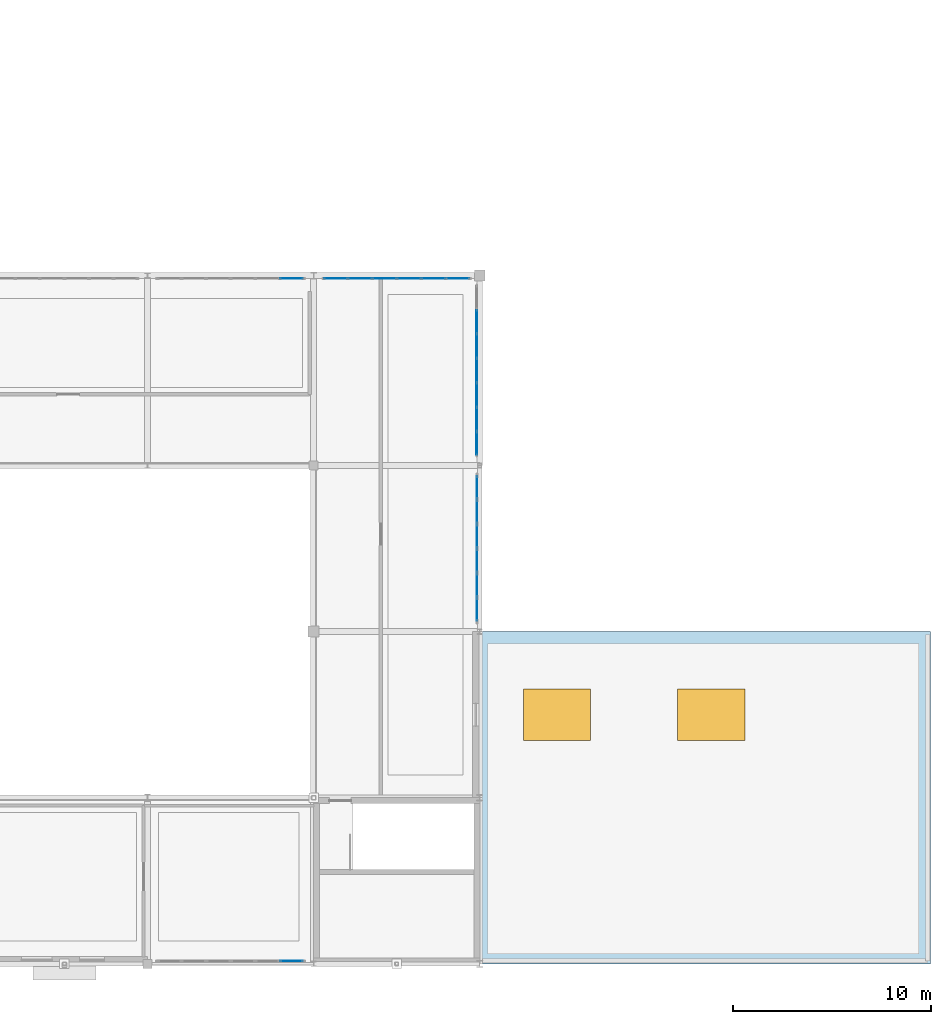
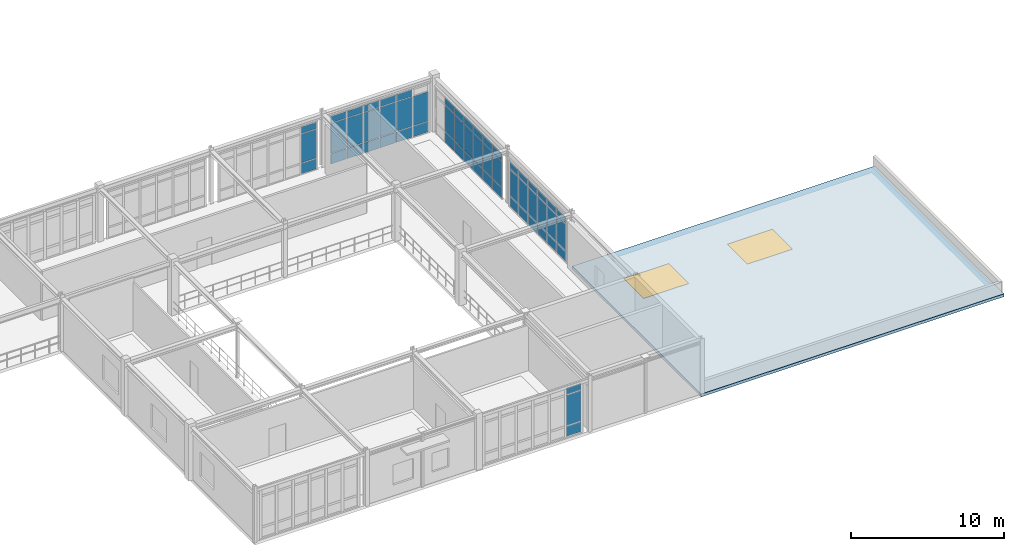
# One storey, part 76 of 106: 59 plates, 2 windows, 1 slab, 2 openings, 5 elements without a shape of their own.
"""IFC4 building model written with IfcOpenShell, lengths in metres."""

import ifcopenshell
import ifcopenshell.guid

model = None  # the IFC model being written
_history = None  # IfcOwnerHistory: only IFC2X3 demands one
_inside = {}  # id of a spatial element -> (the spatial element, [elements in it])
_under = {}  # id of a project, library or spatial element -> (it, [spatial elements below it])
_declared = {}  # id of a project -> (the project, [libraries it declares])
_typed = {}  # id of a type object -> (the type object, [elements of that type])
_made_of = {}  # id of a material, layer set ... -> (it, [elements and type objects made of it])


def new_model(schema):
    """Start an empty IFC model of exactly this schema.

    Asked for "IFC4X3", IfcOpenShell would pick the latest addendum, in which some entities
    have other attributes; the version numbers below select the first issue.
    IFC2X3 requires an IfcOwnerHistory on every rooted entity: one is made here for all.
    """
    global model, _history
    if schema == "IFC4X3":
        model = ifcopenshell.file(schema_version=(4, 3, 0, 0))
    else:
        model = ifcopenshell.file(schema=schema)
    _inside.clear()
    _under.clear()
    _declared.clear()
    _typed.clear()
    _made_of.clear()
    _history = None
    if model.schema == "IFC2X3":
        org = make("IfcOrganization", Name="unknown")
        user = make(
            "IfcPersonAndOrganization",
            ThePerson=make("IfcPerson", FamilyName="unknown"),
            TheOrganization=org,
        )
        app = make(
            "IfcApplication",
            ApplicationDeveloper=org,
            Version="unknown",
            ApplicationFullName="unknown",
            ApplicationIdentifier="unknown",
        )
        _history = make(
            "IfcOwnerHistory",
            OwningUser=user,
            OwningApplication=app,
            ChangeAction="ADDED",
            CreationDate=0,
        )
    return model


def make(cls, **values):
    """One entity of the class cls with the attributes given. An attribute that is None is left unset."""
    return model.create_entity(
        cls, **{name: value for name, value in values.items() if value is not None}
    )


def rooted(cls, **values):
    """An entity with a GlobalId (a new one), such as an element, a storey or a relation."""
    return make(cls, GlobalId=ifcopenshell.guid.new(), OwnerHistory=_history, **values)


def si_unit(unit_type, name, prefix=None):
    """IfcSIUnit, for example si_unit("LENGTHUNIT", "METRE", prefix="MILLI")."""
    return make("IfcSIUnit", UnitType=unit_type, Prefix=prefix, Name=name)


def derived_unit(unit_type, elements):
    """IfcDerivedUnit: a product of units, each with its exponent."""
    return make(
        "IfcDerivedUnit",
        Elements=[
            make("IfcDerivedUnitElement", Unit=unit, Exponent=power)
            for unit, power in elements
        ],
        UnitType=unit_type,
    )


def assignment(units):
    """IfcUnitAssignment: the units of a project."""
    return None if units is None else make("IfcUnitAssignment", Units=units)


def point(xyz):
    """IfcCartesianPoint."""
    return None if xyz is None else make("IfcCartesianPoint", Coordinates=xyz)


def direction(xyz):
    """IfcDirection."""
    return None if xyz is None else make("IfcDirection", DirectionRatios=xyz)


def frame(location, z_axis=None, x_axis=None):
    """IfcAxis2Placement3D, a coordinate frame: its origin and axes. An axis left out is left unset."""
    return make(
        "IfcAxis2Placement3D",
        Location=point(location),
        Axis=direction(z_axis),
        RefDirection=direction(x_axis),
    )


def frame_2d(location, x_axis=None):
    """IfcAxis2Placement2D, a coordinate frame in the plane: its origin and x axis."""
    return make(
        "IfcAxis2Placement2D", Location=point(location), RefDirection=direction(x_axis)
    )


def origin():
    """The frame at (0, 0, 0) with its axes left unset."""
    return frame((0.0, 0.0, 0.0))


def origin_2d():
    """The frame at (0, 0) in the plane with its x axis left unset."""
    return frame_2d((0.0, 0.0))


def place(relative_to, where):
    """IfcLocalPlacement: puts the frame where relative to a parent placement (None: the world)."""
    return make(
        "IfcLocalPlacement", PlacementRelTo=relative_to, RelativePlacement=where
    )


def context(
    kind, dimensions, precision=None, world=None, true_north=None, identifier=None
):
    """IfcGeometricRepresentationContext, for example the 3D "Model" context."""
    return make(
        "IfcGeometricRepresentationContext",
        ContextIdentifier=identifier,
        ContextType=kind,
        CoordinateSpaceDimension=dimensions,
        Precision=precision,
        WorldCoordinateSystem=world,
        TrueNorth=true_north,
    )


def subcontext(parent, identifier, kind, view, scale=None):
    """IfcGeometricRepresentationSubContext, for example "Body" below "Model"."""
    return make(
        "IfcGeometricRepresentationSubContext",
        ContextIdentifier=identifier,
        ContextType=kind,
        ParentContext=parent,
        TargetScale=scale,
        TargetView=view,
    )


def project(units=None, contexts=None):
    """IfcProject with its units and contexts."""
    return rooted(
        "IfcProject",
        Name="project",
        RepresentationContexts=contexts,
        UnitsInContext=assignment(units),
    )


def spatial(cls, under=None, at=None, **own):
    """A site, building, storey or space (cls), placed at a placement, below another one or the project."""
    s = rooted(cls, ObjectPlacement=at, **own)
    if under is not None:
        _under.setdefault(under.id(), (under, []))[1].append(s)
    return s


def polyline(points):
    """IfcPolyline through the points."""
    return make("IfcPolyline", Points=[point(p) for p in points])


def profile(cls, at=None, kind="AREA", **sizes):
    """A parametric profile (cls). Its sizes go by their IFC names, for example OverallWidth=200.0."""
    return make(cls, ProfileType=kind, Position=at, **sizes)


def rectangle(**sizes):
    """IfcRectangleProfileDef."""
    return profile("IfcRectangleProfileDef", **sizes)


def outline(outer, holes=None, kind="AREA"):
    """IfcArbitraryClosedProfileDef: a profile drawn as a closed curve; with holes, ...WithVoids."""
    if holes is None:
        return make("IfcArbitraryClosedProfileDef", ProfileType=kind, OuterCurve=outer)
    return make(
        "IfcArbitraryProfileDefWithVoids",
        ProfileType=kind,
        OuterCurve=outer,
        InnerCurves=holes,
    )


def extrude(swept, where, along, depth):
    """IfcExtrudedAreaSolid: the profile swept, set in the frame where, extruded along a direction by depth."""
    return make(
        "IfcExtrudedAreaSolid",
        SweptArea=swept,
        Position=where,
        ExtrudedDirection=direction(along),
        Depth=depth,
    )


def shape(context_of_items, identifier, shape_type, items):
    """IfcShapeRepresentation: the items that make up one representation, for example the "Body"."""
    return make(
        "IfcShapeRepresentation",
        ContextOfItems=context_of_items,
        RepresentationIdentifier=identifier,
        RepresentationType=shape_type,
        Items=items,
    )


def material(Name=None, Category=None):
    """IfcMaterial."""
    return make("IfcMaterial", Name=Name, Category=Category)


def layer(
    of_material, thickness, ventilated=None, Name=None, Category=None, Priority=None
):
    """IfcMaterialLayer: one layer of a wall or slab, of a material (None: an air gap)."""
    return make(
        "IfcMaterialLayer",
        Material=of_material,
        LayerThickness=thickness,
        IsVentilated=ventilated,
        Name=Name,
        Category=Category,
        Priority=Priority,
    )


def layer_set(layers, Name=None):
    """IfcMaterialLayerSet."""
    return make("IfcMaterialLayerSet", MaterialLayers=layers, LayerSetName=Name)


def made_of(thing, what):
    """Note that an element or type object is made of a material, layer set ...; save() writes the relation."""
    if what is not None:
        _made_of.setdefault(what.id(), (what, []))[1].append(thing)
    return thing


def type_object(cls, material=None, **own):
    """A type object (cls), such as IfcWallType, which elements share."""
    return made_of(rooted(cls, **own), material)


def element(
    cls,
    number,
    at=None,
    inside=None,
    cuts=None,
    type_object=None,
    material=None,
    context=None,
    identifier="Body",
    shape_type=None,
    held_by="IfcProductDefinitionShape",
    body=None,
    shapes=None,
    **own,
):
    """One element of the class cls, such as IfcWall. Its Tag is "e" and its number.

    at: its placement. inside: the storey or other place that contains it. cuts: it is an
    opening in that element (IfcRelVoidsElement). A single representation is given by context,
    identifier, shape_type and body (its items); several are given by shapes. held_by: the class
    of the entity that holds the representations. save() writes the other relations.
    """
    e = rooted(cls, Tag="e%d" % number, ObjectPlacement=at, **own)
    if body is not None:
        shapes = [shape(context, identifier, shape_type, body)]
    if shapes is not None:
        e.Representation = make(held_by, Representations=shapes)
    if inside is not None:
        _inside.setdefault(inside.id(), (inside, []))[1].append(e)
    if cuts is not None:
        rooted(
            "IfcRelVoidsElement", RelatingBuildingElement=cuts, RelatedOpeningElement=e
        )
    if type_object is not None:
        _typed.setdefault(type_object.id(), (type_object, []))[1].append(e)
    return made_of(e, material)


def fill(opening, filler):
    """IfcRelFillsElement: the door or window that sits in an opening."""
    return rooted(
        "IfcRelFillsElement",
        RelatingOpeningElement=opening,
        RelatedBuildingElement=filler,
    )


def aggregate(whole, parts):
    """IfcRelAggregates: a whole, such as a stair, and the parts it consists of."""
    return rooted("IfcRelAggregates", RelatingObject=whole, RelatedObjects=parts)


def save(model, path):
    """Write the relations noted so far, then the file.

    IfcRelAggregates (storeys below a building ...), IfcRelContainedInSpatialStructure (elements
    in a storey), IfcRelDefinesByType, IfcRelAssociatesMaterial and IfcRelDeclares: one each for
    every whole, place, type object, material and project.
    """
    for whole, parts in _under.values():
        aggregate(whole, parts)
    for where, things in _inside.values():
        rooted(
            "IfcRelContainedInSpatialStructure",
            RelatedElements=things,
            RelatingStructure=where,
        )
    for kind, things in _typed.values():
        rooted("IfcRelDefinesByType", RelatedObjects=things, RelatingType=kind)
    for what, things in _made_of.values():
        rooted("IfcRelAssociatesMaterial", RelatedObjects=things, RelatingMaterial=what)
    for by, libraries in _declared.values():
        rooted("IfcRelDeclares", RelatingContext=by, RelatedDefinitions=libraries)
    model.write(path)


model = new_model("IFC4")

# Units and contexts
model_context = context("Model", 3, precision=1e-05, world=origin(), true_north=direction((0.0, 1.0)))
body_context = subcontext(model_context, "Body", "Model", "MODEL_VIEW")
ifc_project = project(units=[si_unit("LENGTHUNIT", "METRE"), si_unit("AREAUNIT", "SQUARE_METRE"), si_unit("VOLUMEUNIT", "CUBIC_METRE"), si_unit("PLANEANGLEUNIT", "RADIAN"), si_unit("MASSUNIT", "GRAM", prefix="KILO"), derived_unit("THERMALTRANSMITTANCEUNIT", [(si_unit("POWERUNIT", "WATT"), 1), (si_unit("AREAUNIT", "SQUARE_METRE"), -1), (si_unit("THERMODYNAMICTEMPERATUREUNIT", "KELVIN"), -1)])], contexts=[model_context])

# Site, building, storey
site_placement = place(None, origin())
site = spatial("IfcSite", under=ifc_project, at=site_placement, CompositionType="ELEMENT")
building_placement = place(site_placement, origin())
building = spatial("IfcBuilding", under=site, at=building_placement, Name="Yasenodar Specialist Clinic", CompositionType="ELEMENT")
storey_placement = place(building_placement, frame((0.0, 0.0, 4.5)))
storey = spatial("IfcBuildingStorey", under=building, at=storey_placement, Name="L01", CompositionType="ELEMENT", Elevation=4.5)

# Curtain wall, plates
ifc_material_1 = material(Name="Bronze Anodized Aluminium and Triple Low-E Glass", Category="aluminium")
ifc_layer_1 = layer(ifc_material_1, 0.178955078125)
ifc_layer_set_1 = layer_set([ifc_layer_1], Name="Bronze Anodized Aluminium and Triple Low-E Glass")
curtain_wall_type = type_object("IfcCurtainWallType", Name="CW-SYS-02", PredefinedType="USERDEFINED", material=ifc_layer_set_1)
curtain_wall_1_placement = place(storey_placement, origin())
curtain_wall_1 = element("IfcCurtainWall", 1, at=curtain_wall_1_placement, inside=storey, type_object=curtain_wall_type, Name="L01 Unitised Curtain Wall 092", ObjectType="UNITISED CURTAIN WALL", PredefinedType="USERDEFINED")
ifc_material_2 = material(Name="Triple Low-E Argon Glazing", Category="glass")
ifc_layer_2 = layer(ifc_material_2, 0.028076171875)
ifc_layer_set_2 = layer_set([ifc_layer_2], Name="Triple Low-E Argon Glazing")
plate_type_1 = type_object("IfcPlateType", Name="CW-PAN-1", PredefinedType="CURTAIN_PANEL", material=ifc_layer_set_2)
plate_1_placement = place(storey_placement, frame((129.08251953125, 0.14990234375, 0.070068359375), z_axis=(0.0, 0.0, 1.0), x_axis=(-1.0, 0.0, 0.0)))
plate_1 = element("IfcPlate", 2, at=plate_1_placement, type_object=plate_type_1, Name="CW-02 panel 1.1", PredefinedType="CURTAIN_PANEL", context=body_context, shape_type="SweptSolid", body=[
    extrude(rectangle(XDim=1.135009765625, YDim=0.028076171875, at=origin_2d()), origin(), (0.0, 0.0, 1.0), 0.794921875),
])
plate_2_placement = place(storey_placement, frame((129.08251953125, 0.14990234375, 0.93505859375), z_axis=(0.0, 0.0, 1.0), x_axis=(-1.0, 0.0, 0.0)))
plate_2 = element("IfcPlate", 3, at=plate_2_placement, type_object=plate_type_1, Name="CW-02 panel 1.2", PredefinedType="CURTAIN_PANEL", context=body_context, shape_type="SweptSolid", body=[
    extrude(rectangle(XDim=1.135009765625, YDim=0.028076171875, at=origin_2d()), origin(), (0.0, 0.0, 1.0), 2.407958984375),
])
plate_3_placement = place(storey_placement, frame((129.08251953125, 0.14990234375, 3.412841796875), z_axis=(0.0, 0.0, 1.0), x_axis=(-1.0, 0.0, 0.0)))
plate_3 = element("IfcPlate", 4, at=plate_3_placement, type_object=plate_type_1, Name="CW-02 panel 1.3", PredefinedType="CURTAIN_PANEL", context=body_context, shape_type="SweptSolid", body=[
    extrude(rectangle(XDim=1.135009765625, YDim=0.028076171875, at=origin_2d()), origin(), (0.0, 0.0, 1.0), 0.4951171875),
])
aggregate(curtain_wall_1, [plate_1, plate_2, plate_3])

curtain_wall_2_placement = place(storey_placement, origin())
curtain_wall_2 = element("IfcCurtainWall", 5, at=curtain_wall_2_placement, inside=storey, type_object=curtain_wall_type, Name="L01 Unitised Curtain Wall 100", ObjectType="UNITISED CURTAIN WALL", PredefinedType="USERDEFINED")
plate_4_placement = place(storey_placement, frame((138.449951171875, 24.081298828125, 0.074951171875), z_axis=(0.0, 0.0, 1.0), x_axis=(0.0, -1.0, 0.0)))
plate_4 = element("IfcPlate", 6, at=plate_4_placement, type_object=plate_type_1, Name="CW-02 panel 1.1", PredefinedType="CURTAIN_PANEL", context=body_context, shape_type="SweptSolid", body=[
    extrude(rectangle(XDim=1.12744140625, YDim=0.028076171875, at=origin_2d()), origin(), (0.0, 0.0, 1.0), 0.78759765625),
])
plate_5_placement = place(storey_placement, frame((138.449951171875, 24.081298828125, 0.9375), z_axis=(0.0, 0.0, 1.0), x_axis=(0.0, -1.0, 0.0)))
plate_5 = element("IfcPlate", 7, at=plate_5_placement, type_object=plate_type_1, Name="CW-02 panel 1.2", PredefinedType="CURTAIN_PANEL", context=body_context, shape_type="SweptSolid", body=[
    extrude(rectangle(XDim=1.12744140625, YDim=0.028076171875, at=origin_2d()), origin(), (0.0, 0.0, 1.0), 2.10302734375),
])
plate_6_placement = place(storey_placement, frame((138.449951171875, 24.081298828125, 3.115234375), z_axis=(0.0, 0.0, 1.0), x_axis=(0.0, -1.0, 0.0)))
plate_6 = element("IfcPlate", 8, at=plate_6_placement, type_object=plate_type_1, Name="CW-02 panel 1.3", PredefinedType="CURTAIN_PANEL", context=body_context, shape_type="SweptSolid", body=[
    extrude(rectangle(XDim=1.12744140625, YDim=0.028076171875, at=origin_2d()), origin(), (0.0, 0.0, 1.0), 0.487548828125),
])
plate_7_placement = place(storey_placement, frame((138.449951171875, 22.860107421875, 0.074951171875), z_axis=(0.0, 0.0, 1.0), x_axis=(0.0, -1.0, 0.0)))
plate_7 = element("IfcPlate", 9, at=plate_7_placement, type_object=plate_type_1, Name="CW-02 panel 2.1", PredefinedType="CURTAIN_PANEL", context=body_context, shape_type="SweptSolid", body=[
    extrude(rectangle(XDim=1.1650390625, YDim=0.028076171875, at=origin_2d()), origin(), (0.0, 0.0, 1.0), 0.78759765625),
])
plate_8_placement = place(storey_placement, frame((138.449951171875, 22.860107421875, 0.9375), z_axis=(0.0, 0.0, 1.0), x_axis=(0.0, -1.0, 0.0)))
plate_8 = element("IfcPlate", 10, at=plate_8_placement, type_object=plate_type_1, Name="CW-02 panel 2.2", PredefinedType="CURTAIN_PANEL", context=body_context, shape_type="SweptSolid", body=[
    extrude(rectangle(XDim=1.1650390625, YDim=0.028076171875, at=origin_2d()), origin(), (0.0, 0.0, 1.0), 2.10302734375),
])
plate_9_placement = place(storey_placement, frame((138.449951171875, 22.860107421875, 3.115234375), z_axis=(0.0, 0.0, 1.0), x_axis=(0.0, -1.0, 0.0)))
plate_9 = element("IfcPlate", 11, at=plate_9_placement, type_object=plate_type_1, Name="CW-02 panel 2.3", PredefinedType="CURTAIN_PANEL", context=body_context, shape_type="SweptSolid", body=[
    extrude(rectangle(XDim=1.1650390625, YDim=0.028076171875, at=origin_2d()), origin(), (0.0, 0.0, 1.0), 0.487548828125),
])
plate_10_placement = place(storey_placement, frame((138.449951171875, 21.6201171875, 0.074951171875), z_axis=(0.0, 0.0, 1.0), x_axis=(0.0, -1.0, 0.0)))
plate_10 = element("IfcPlate", 12, at=plate_10_placement, type_object=plate_type_1, Name="CW-02 panel 3.1", PredefinedType="CURTAIN_PANEL", context=body_context, shape_type="SweptSolid", body=[
    extrude(rectangle(XDim=1.1650390625, YDim=0.028076171875, at=origin_2d()), origin(), (0.0, 0.0, 1.0), 0.78759765625),
])
plate_11_placement = place(storey_placement, frame((138.449951171875, 21.6201171875, 0.9375), z_axis=(0.0, 0.0, 1.0), x_axis=(0.0, -1.0, 0.0)))
plate_11 = element("IfcPlate", 13, at=plate_11_placement, type_object=plate_type_1, Name="CW-02 panel 3.2", PredefinedType="CURTAIN_PANEL", context=body_context, shape_type="SweptSolid", body=[
    extrude(rectangle(XDim=1.1650390625, YDim=0.028076171875, at=origin_2d()), origin(), (0.0, 0.0, 1.0), 2.10302734375),
])
plate_12_placement = place(storey_placement, frame((138.449951171875, 21.6201171875, 3.115234375), z_axis=(0.0, 0.0, 1.0), x_axis=(0.0, -1.0, 0.0)))
plate_12 = element("IfcPlate", 14, at=plate_12_placement, type_object=plate_type_1, Name="CW-02 panel 3.3", PredefinedType="CURTAIN_PANEL", context=body_context, shape_type="SweptSolid", body=[
    extrude(rectangle(XDim=1.1650390625, YDim=0.028076171875, at=origin_2d()), origin(), (0.0, 0.0, 1.0), 0.487548828125),
])
plate_13_placement = place(storey_placement, frame((138.449951171875, 20.3798828125, 0.074951171875), z_axis=(0.0, 0.0, 1.0), x_axis=(0.0, -1.0, 0.0)))
plate_13 = element("IfcPlate", 15, at=plate_13_placement, type_object=plate_type_1, Name="CW-02 panel 4.1", PredefinedType="CURTAIN_PANEL", context=body_context, shape_type="SweptSolid", body=[
    extrude(rectangle(XDim=1.1650390625, YDim=0.028076171875, at=origin_2d()), origin(), (0.0, 0.0, 1.0), 0.78759765625),
])
plate_14_placement = place(storey_placement, frame((138.449951171875, 20.3798828125, 0.9375), z_axis=(0.0, 0.0, 1.0), x_axis=(0.0, -1.0, 0.0)))
plate_14 = element("IfcPlate", 16, at=plate_14_placement, type_object=plate_type_1, Name="CW-02 panel 4.2", PredefinedType="CURTAIN_PANEL", context=body_context, shape_type="SweptSolid", body=[
    extrude(rectangle(XDim=1.1650390625, YDim=0.028076171875, at=origin_2d()), origin(), (0.0, 0.0, 1.0), 2.10302734375),
])
plate_15_placement = place(storey_placement, frame((138.449951171875, 20.3798828125, 3.115234375), z_axis=(0.0, 0.0, 1.0), x_axis=(0.0, -1.0, 0.0)))
plate_15 = element("IfcPlate", 17, at=plate_15_placement, type_object=plate_type_1, Name="CW-02 panel 4.3", PredefinedType="CURTAIN_PANEL", context=body_context, shape_type="SweptSolid", body=[
    extrude(rectangle(XDim=1.1650390625, YDim=0.028076171875, at=origin_2d()), origin(), (0.0, 0.0, 1.0), 0.487548828125),
])
plate_16_placement = place(storey_placement, frame((138.449951171875, 19.139892578125, 0.074951171875), z_axis=(0.0, 0.0, 1.0), x_axis=(0.0, -1.0, 0.0)))
plate_16 = element("IfcPlate", 18, at=plate_16_placement, type_object=plate_type_1, Name="CW-02 panel 5.1", PredefinedType="CURTAIN_PANEL", context=body_context, shape_type="SweptSolid", body=[
    extrude(rectangle(XDim=1.1650390625, YDim=0.028076171875, at=origin_2d()), origin(), (0.0, 0.0, 1.0), 0.78759765625),
])
plate_17_placement = place(storey_placement, frame((138.449951171875, 19.139892578125, 0.9375), z_axis=(0.0, 0.0, 1.0), x_axis=(0.0, -1.0, 0.0)))
plate_17 = element("IfcPlate", 19, at=plate_17_placement, type_object=plate_type_1, Name="CW-02 panel 5.2", PredefinedType="CURTAIN_PANEL", context=body_context, shape_type="SweptSolid", body=[
    extrude(rectangle(XDim=1.1650390625, YDim=0.028076171875, at=origin_2d()), origin(), (0.0, 0.0, 1.0), 2.10302734375),
])
plate_18_placement = place(storey_placement, frame((138.449951171875, 19.139892578125, 3.115234375), z_axis=(0.0, 0.0, 1.0), x_axis=(0.0, -1.0, 0.0)))
plate_18 = element("IfcPlate", 20, at=plate_18_placement, type_object=plate_type_1, Name="CW-02 panel 5.3", PredefinedType="CURTAIN_PANEL", context=body_context, shape_type="SweptSolid", body=[
    extrude(rectangle(XDim=1.1650390625, YDim=0.028076171875, at=origin_2d()), origin(), (0.0, 0.0, 1.0), 0.487548828125),
])
plate_19_placement = place(storey_placement, frame((138.449951171875, 17.918701171875, 0.074951171875), z_axis=(0.0, 0.0, 1.0), x_axis=(0.0, -1.0, 0.0)))
plate_19 = element("IfcPlate", 21, at=plate_19_placement, type_object=plate_type_1, Name="CW-02 panel 6.1", PredefinedType="CURTAIN_PANEL", context=body_context, shape_type="SweptSolid", body=[
    extrude(rectangle(XDim=1.12744140625, YDim=0.028076171875, at=origin_2d()), origin(), (0.0, 0.0, 1.0), 0.78759765625),
])
plate_20_placement = place(storey_placement, frame((138.449951171875, 17.918701171875, 0.9375), z_axis=(0.0, 0.0, 1.0), x_axis=(0.0, -1.0, 0.0)))
plate_20 = element("IfcPlate", 22, at=plate_20_placement, type_object=plate_type_1, Name="CW-02 panel 6.2", PredefinedType="CURTAIN_PANEL", context=body_context, shape_type="SweptSolid", body=[
    extrude(rectangle(XDim=1.12744140625, YDim=0.028076171875, at=origin_2d()), origin(), (0.0, 0.0, 1.0), 2.10302734375),
])
plate_21_placement = place(storey_placement, frame((138.449951171875, 17.918701171875, 3.115234375), z_axis=(0.0, 0.0, 1.0), x_axis=(0.0, -1.0, 0.0)))
plate_21 = element("IfcPlate", 23, at=plate_21_placement, type_object=plate_type_1, Name="CW-02 panel 6.3", PredefinedType="CURTAIN_PANEL", context=body_context, shape_type="SweptSolid", body=[
    extrude(rectangle(XDim=1.12744140625, YDim=0.028076171875, at=origin_2d()), origin(), (0.0, 0.0, 1.0), 0.487548828125),
])
aggregate(curtain_wall_2, [plate_4, plate_5, plate_6, plate_7, plate_8, plate_9, plate_10, plate_11, plate_12, plate_13, plate_14, plate_15, plate_16, plate_17, plate_18, plate_19, plate_20, plate_21])

curtain_wall_3_placement = place(storey_placement, origin())
curtain_wall_3 = element("IfcCurtainWall", 24, at=curtain_wall_3_placement, inside=storey, type_object=curtain_wall_type, Name="L01 Unitised Curtain Wall 097", ObjectType="UNITISED CURTAIN WALL", PredefinedType="USERDEFINED")
ifc_layer_3 = layer(ifc_material_2, 0.033935546875)
ifc_layer_set_3 = layer_set([ifc_layer_3], Name="Triple Low-E Argon Glazing")
plate_type_2 = type_object("IfcPlateType", Name="CW-PAN-2", PredefinedType="CURTAIN_PANEL", material=ifc_layer_set_3)
plate_22_placement = place(storey_placement, frame((129.0849609375, 34.64990234375, 0.06005859375), z_axis=(0.0, 0.0, 1.0), x_axis=(1.0, 0.0, 0.0)))
plate_22 = element("IfcPlate", 25, at=plate_22_placement, type_object=plate_type_2, Name="CW-02 panel 6.1", PredefinedType="CURTAIN_PANEL", context=body_context, shape_type="SweptSolid", body=[
    extrude(rectangle(XDim=1.14990234375, YDim=0.033935546875, at=origin_2d()), origin(), (0.0, 0.0, 1.0), 0.81005859375),
])
plate_23_placement = place(storey_placement, frame((129.0849609375, 34.64990234375, 0.93017578125), z_axis=(0.0, 0.0, 1.0), x_axis=(1.0, 0.0, 0.0)))
plate_23 = element("IfcPlate", 26, at=plate_23_placement, type_object=plate_type_2, Name="CW-02 panel 6.2", PredefinedType="CURTAIN_PANEL", context=body_context, shape_type="SweptSolid", body=[
    extrude(rectangle(XDim=1.14990234375, YDim=0.033935546875, at=origin_2d()), origin(), (0.0, 0.0, 1.0), 2.278076171875),
])
plate_24_placement = place(storey_placement, frame((129.0849609375, 34.64990234375, 3.26806640625), z_axis=(0.0, 0.0, 1.0), x_axis=(1.0, 0.0, 0.0)))
plate_24 = element("IfcPlate", 27, at=plate_24_placement, type_object=plate_type_2, Name="CW-02 panel 6.3", PredefinedType="CURTAIN_PANEL", context=body_context, shape_type="SweptSolid", body=[
    extrude(rectangle(XDim=1.14990234375, YDim=0.033935546875, at=origin_2d()), origin(), (0.0, 0.0, 1.0), 0.510009765625),
])
aggregate(curtain_wall_3, [plate_22, plate_23, plate_24])

curtain_wall_4_placement = place(storey_placement, origin())
curtain_wall_4 = element("IfcCurtainWall", 28, at=curtain_wall_4_placement, inside=storey, type_object=curtain_wall_type, Name="L01 Unitised Curtain Wall 098", ObjectType="UNITISED CURTAIN WALL", PredefinedType="USERDEFINED")
ifc_layer_4 = layer(ifc_material_2, 0.0400390625)
ifc_layer_set_4 = layer_set([ifc_layer_4], Name="Triple Low-E Argon Glazing")
plate_type_3 = type_object("IfcPlateType", Name="CW-PAN-3", PredefinedType="CURTAIN_PANEL", material=ifc_layer_set_4)
plate_25_placement = place(storey_placement, frame((131.31494140625, 34.64990234375, 0.06005859375), z_axis=(0.0, 0.0, 1.0), x_axis=(1.0, 0.0, 0.0)))
plate_25 = element("IfcPlate", 29, at=plate_25_placement, type_object=plate_type_3, Name="CW-02 panel 1.1", PredefinedType="CURTAIN_PANEL", context=body_context, shape_type="SweptSolid", body=[
    extrude(rectangle(XDim=1.14990234375, YDim=0.0400390625, at=origin_2d()), origin(), (0.0, 0.0, 1.0), 0.81005859375),
])
plate_26_placement = place(storey_placement, frame((131.31494140625, 34.64990234375, 0.93017578125), z_axis=(0.0, 0.0, 1.0), x_axis=(1.0, 0.0, 0.0)))
plate_26 = element("IfcPlate", 30, at=plate_26_placement, type_object=plate_type_3, Name="CW-02 panel 1.2", PredefinedType="CURTAIN_PANEL", context=body_context, shape_type="SweptSolid", body=[
    extrude(rectangle(XDim=1.14990234375, YDim=0.0400390625, at=origin_2d()), origin(), (0.0, 0.0, 1.0), 2.337890625),
])
plate_27_placement = place(storey_placement, frame((131.31494140625, 34.64990234375, 3.328125), z_axis=(0.0, 0.0, 1.0), x_axis=(1.0, 0.0, 0.0)))
plate_27 = element("IfcPlate", 31, at=plate_27_placement, type_object=plate_type_3, Name="CW-02 panel 1.3", PredefinedType="CURTAIN_PANEL", context=body_context, shape_type="SweptSolid", body=[
    extrude(rectangle(XDim=1.14990234375, YDim=0.0400390625, at=origin_2d()), origin(), (0.0, 0.0, 1.0), 0.510009765625),
])
plate_28_placement = place(storey_placement, frame((132.5400390625, 34.64990234375, 0.06005859375), z_axis=(0.0, 0.0, 1.0), x_axis=(1.0, 0.0, 0.0)))
plate_28 = element("IfcPlate", 32, at=plate_28_placement, type_object=plate_type_3, Name="CW-02 panel 2.1", PredefinedType="CURTAIN_PANEL", context=body_context, shape_type="SweptSolid", body=[
    extrude(rectangle(XDim=1.179931640625, YDim=0.0400390625, at=origin_2d()), origin(), (0.0, 0.0, 1.0), 0.81005859375),
])
plate_29_placement = place(storey_placement, frame((132.5400390625, 34.64990234375, 0.93017578125), z_axis=(0.0, 0.0, 1.0), x_axis=(1.0, 0.0, 0.0)))
plate_29 = element("IfcPlate", 33, at=plate_29_placement, type_object=plate_type_3, Name="CW-02 panel 2.2", PredefinedType="CURTAIN_PANEL", context=body_context, shape_type="SweptSolid", body=[
    extrude(rectangle(XDim=1.179931640625, YDim=0.0400390625, at=origin_2d()), origin(), (0.0, 0.0, 1.0), 2.337890625),
])
plate_30_placement = place(storey_placement, frame((132.5400390625, 34.64990234375, 3.328125), z_axis=(0.0, 0.0, 1.0), x_axis=(1.0, 0.0, 0.0)))
plate_30 = element("IfcPlate", 34, at=plate_30_placement, type_object=plate_type_3, Name="CW-02 panel 2.3", PredefinedType="CURTAIN_PANEL", context=body_context, shape_type="SweptSolid", body=[
    extrude(rectangle(XDim=1.179931640625, YDim=0.0400390625, at=origin_2d()), origin(), (0.0, 0.0, 1.0), 0.510009765625),
])
plate_31_placement = place(storey_placement, frame((133.780029296875, 34.64990234375, 0.06005859375), z_axis=(0.0, 0.0, 1.0), x_axis=(1.0, 0.0, 0.0)))
plate_31 = element("IfcPlate", 35, at=plate_31_placement, type_object=plate_type_3, Name="CW-02 panel 3.1", PredefinedType="CURTAIN_PANEL", context=body_context, shape_type="SweptSolid", body=[
    extrude(rectangle(XDim=1.179931640625, YDim=0.0400390625, at=origin_2d()), origin(), (0.0, 0.0, 1.0), 0.81005859375),
])
plate_32_placement = place(storey_placement, frame((133.780029296875, 34.64990234375, 0.93017578125), z_axis=(0.0, 0.0, 1.0), x_axis=(1.0, 0.0, 0.0)))
plate_32 = element("IfcPlate", 36, at=plate_32_placement, type_object=plate_type_3, Name="CW-02 panel 3.2", PredefinedType="CURTAIN_PANEL", context=body_context, shape_type="SweptSolid", body=[
    extrude(rectangle(XDim=1.179931640625, YDim=0.0400390625, at=origin_2d()), origin(), (0.0, 0.0, 1.0), 2.337890625),
])
plate_33_placement = place(storey_placement, frame((133.780029296875, 34.64990234375, 3.328125), z_axis=(0.0, 0.0, 1.0), x_axis=(1.0, 0.0, 0.0)))
plate_33 = element("IfcPlate", 37, at=plate_33_placement, type_object=plate_type_3, Name="CW-02 panel 3.3", PredefinedType="CURTAIN_PANEL", context=body_context, shape_type="SweptSolid", body=[
    extrude(rectangle(XDim=1.179931640625, YDim=0.0400390625, at=origin_2d()), origin(), (0.0, 0.0, 1.0), 0.510009765625),
])
plate_34_placement = place(storey_placement, frame((135.02001953125, 34.64990234375, 0.06005859375), z_axis=(0.0, 0.0, 1.0), x_axis=(1.0, 0.0, 0.0)))
plate_34 = element("IfcPlate", 38, at=plate_34_placement, type_object=plate_type_3, Name="CW-02 panel 4.1", PredefinedType="CURTAIN_PANEL", context=body_context, shape_type="SweptSolid", body=[
    extrude(rectangle(XDim=1.179931640625, YDim=0.0400390625, at=origin_2d()), origin(), (0.0, 0.0, 1.0), 0.81005859375),
])
plate_35_placement = place(storey_placement, frame((135.02001953125, 34.64990234375, 0.93017578125), z_axis=(0.0, 0.0, 1.0), x_axis=(1.0, 0.0, 0.0)))
plate_35 = element("IfcPlate", 39, at=plate_35_placement, type_object=plate_type_3, Name="CW-02 panel 4.2", PredefinedType="CURTAIN_PANEL", context=body_context, shape_type="SweptSolid", body=[
    extrude(rectangle(XDim=1.179931640625, YDim=0.0400390625, at=origin_2d()), origin(), (0.0, 0.0, 1.0), 2.337890625),
])
plate_36_placement = place(storey_placement, frame((135.02001953125, 34.64990234375, 3.328125), z_axis=(0.0, 0.0, 1.0), x_axis=(1.0, 0.0, 0.0)))
plate_36 = element("IfcPlate", 40, at=plate_36_placement, type_object=plate_type_3, Name="CW-02 panel 4.3", PredefinedType="CURTAIN_PANEL", context=body_context, shape_type="SweptSolid", body=[
    extrude(rectangle(XDim=1.179931640625, YDim=0.0400390625, at=origin_2d()), origin(), (0.0, 0.0, 1.0), 0.510009765625),
])
plate_37_placement = place(storey_placement, frame((136.260009765625, 34.64990234375, 0.06005859375), z_axis=(0.0, 0.0, 1.0), x_axis=(1.0, 0.0, 0.0)))
plate_37 = element("IfcPlate", 41, at=plate_37_placement, type_object=plate_type_3, Name="CW-02 panel 5.1", PredefinedType="CURTAIN_PANEL", context=body_context, shape_type="SweptSolid", body=[
    extrude(rectangle(XDim=1.179931640625, YDim=0.0400390625, at=origin_2d()), origin(), (0.0, 0.0, 1.0), 0.81005859375),
])
plate_38_placement = place(storey_placement, frame((136.260009765625, 34.64990234375, 0.93017578125), z_axis=(0.0, 0.0, 1.0), x_axis=(1.0, 0.0, 0.0)))
plate_38 = element("IfcPlate", 42, at=plate_38_placement, type_object=plate_type_3, Name="CW-02 panel 5.2", PredefinedType="CURTAIN_PANEL", context=body_context, shape_type="SweptSolid", body=[
    extrude(rectangle(XDim=1.179931640625, YDim=0.0400390625, at=origin_2d()), origin(), (0.0, 0.0, 1.0), 2.337890625),
])
plate_39_placement = place(storey_placement, frame((136.260009765625, 34.64990234375, 3.328125), z_axis=(0.0, 0.0, 1.0), x_axis=(1.0, 0.0, 0.0)))
plate_39 = element("IfcPlate", 43, at=plate_39_placement, type_object=plate_type_3, Name="CW-02 panel 5.3", PredefinedType="CURTAIN_PANEL", context=body_context, shape_type="SweptSolid", body=[
    extrude(rectangle(XDim=1.179931640625, YDim=0.0400390625, at=origin_2d()), origin(), (0.0, 0.0, 1.0), 0.510009765625),
])
plate_40_placement = place(storey_placement, frame((137.485107421875, 34.64990234375, 0.06005859375), z_axis=(0.0, 0.0, 1.0), x_axis=(1.0, 0.0, 0.0)))
plate_40 = element("IfcPlate", 44, at=plate_40_placement, type_object=plate_type_3, Name="CW-02 panel 6.1", PredefinedType="CURTAIN_PANEL", context=body_context, shape_type="SweptSolid", body=[
    extrude(rectangle(XDim=1.14990234375, YDim=0.0400390625, at=origin_2d()), origin(), (0.0, 0.0, 1.0), 0.81005859375),
])
plate_41_placement = place(storey_placement, frame((137.485107421875, 34.64990234375, 0.93017578125), z_axis=(0.0, 0.0, 1.0), x_axis=(1.0, 0.0, 0.0)))
plate_41 = element("IfcPlate", 45, at=plate_41_placement, type_object=plate_type_3, Name="CW-02 panel 6.2", PredefinedType="CURTAIN_PANEL", context=body_context, shape_type="SweptSolid", body=[
    extrude(rectangle(XDim=1.14990234375, YDim=0.0400390625, at=origin_2d()), origin(), (0.0, 0.0, 1.0), 2.337890625),
])
aggregate(curtain_wall_4, [plate_25, plate_26, plate_27, plate_28, plate_29, plate_30, plate_31, plate_32, plate_33, plate_34, plate_35, plate_36, plate_37, plate_38, plate_39, plate_40, plate_41])

curtain_wall_5_placement = place(storey_placement, origin())
curtain_wall_5 = element("IfcCurtainWall", 46, at=curtain_wall_5_placement, inside=storey, type_object=curtain_wall_type, Name="L01 Unitised Curtain Wall 099", ObjectType="UNITISED CURTAIN WALL", PredefinedType="USERDEFINED")
ifc_layer_5 = layer(ifc_material_2, 0.0458984375)
ifc_layer_set_5 = layer_set([ifc_layer_5], Name="Triple Low-E Argon Glazing")
plate_type_4 = type_object("IfcPlateType", Name="CW-PAN-4", PredefinedType="CURTAIN_PANEL", material=ifc_layer_set_5)
plate_42_placement = place(storey_placement, frame((138.449951171875, 32.468505859375, 0.06005859375), z_axis=(0.0, 0.0, 1.0), x_axis=(0.0, -1.0, 0.0)))
plate_42 = element("IfcPlate", 47, at=plate_42_placement, type_object=plate_type_4, Name="CW-02 panel 2.1", PredefinedType="CURTAIN_PANEL", context=body_context, shape_type="SweptSolid", body=[
    extrude(rectangle(XDim=1.17431640625, YDim=0.0458984375, at=origin_2d()), origin(), (0.0, 0.0, 1.0), 0.81005859375),
])
plate_43_placement = place(storey_placement, frame((138.449951171875, 32.468505859375, 0.93017578125), z_axis=(0.0, 0.0, 1.0), x_axis=(0.0, -1.0, 0.0)))
plate_43 = element("IfcPlate", 48, at=plate_43_placement, type_object=plate_type_4, Name="CW-02 panel 2.2", PredefinedType="CURTAIN_PANEL", context=body_context, shape_type="SweptSolid", body=[
    extrude(rectangle(XDim=1.17431640625, YDim=0.0458984375, at=origin_2d()), origin(), (0.0, 0.0, 1.0), 2.068115234375),
])
plate_44_placement = place(storey_placement, frame((138.449951171875, 32.468505859375, 3.05810546875), z_axis=(0.0, 0.0, 1.0), x_axis=(0.0, -1.0, 0.0)))
plate_44 = element("IfcPlate", 49, at=plate_44_placement, type_object=plate_type_4, Name="CW-02 panel 2.3", PredefinedType="CURTAIN_PANEL", context=body_context, shape_type="SweptSolid", body=[
    extrude(rectangle(XDim=1.17431640625, YDim=0.0458984375, at=origin_2d()), origin(), (0.0, 0.0, 1.0), 0.510009765625),
])
plate_45_placement = place(storey_placement, frame((138.449951171875, 31.234375, 0.06005859375), z_axis=(0.0, 0.0, 1.0), x_axis=(0.0, -1.0, 0.0)))
plate_45 = element("IfcPlate", 50, at=plate_45_placement, type_object=plate_type_4, Name="CW-02 panel 3.1", PredefinedType="CURTAIN_PANEL", context=body_context, shape_type="SweptSolid", body=[
    extrude(rectangle(XDim=1.17431640625, YDim=0.0458984375, at=origin_2d()), origin(), (0.0, 0.0, 1.0), 0.81005859375),
])
plate_46_placement = place(storey_placement, frame((138.449951171875, 31.234375, 0.93017578125), z_axis=(0.0, 0.0, 1.0), x_axis=(0.0, -1.0, 0.0)))
plate_46 = element("IfcPlate", 51, at=plate_46_placement, type_object=plate_type_4, Name="CW-02 panel 3.2", PredefinedType="CURTAIN_PANEL", context=body_context, shape_type="SweptSolid", body=[
    extrude(rectangle(XDim=1.17431640625, YDim=0.0458984375, at=origin_2d()), origin(), (0.0, 0.0, 1.0), 2.068115234375),
])
plate_47_placement = place(storey_placement, frame((138.449951171875, 31.234375, 3.05810546875), z_axis=(0.0, 0.0, 1.0), x_axis=(0.0, -1.0, 0.0)))
plate_47 = element("IfcPlate", 52, at=plate_47_placement, type_object=plate_type_4, Name="CW-02 panel 3.3", PredefinedType="CURTAIN_PANEL", context=body_context, shape_type="SweptSolid", body=[
    extrude(rectangle(XDim=1.17431640625, YDim=0.0458984375, at=origin_2d()), origin(), (0.0, 0.0, 1.0), 0.510009765625),
])
plate_48_placement = place(storey_placement, frame((138.449951171875, 30.0, 0.06005859375), z_axis=(0.0, 0.0, 1.0), x_axis=(0.0, -1.0, 0.0)))
plate_48 = element("IfcPlate", 53, at=plate_48_placement, type_object=plate_type_4, Name="CW-02 panel 4.1", PredefinedType="CURTAIN_PANEL", context=body_context, shape_type="SweptSolid", body=[
    extrude(rectangle(XDim=1.17431640625, YDim=0.0458984375, at=origin_2d()), origin(), (0.0, 0.0, 1.0), 0.81005859375),
])
plate_49_placement = place(storey_placement, frame((138.449951171875, 30.0, 0.93017578125), z_axis=(0.0, 0.0, 1.0), x_axis=(0.0, -1.0, 0.0)))
plate_49 = element("IfcPlate", 54, at=plate_49_placement, type_object=plate_type_4, Name="CW-02 panel 4.2", PredefinedType="CURTAIN_PANEL", context=body_context, shape_type="SweptSolid", body=[
    extrude(rectangle(XDim=1.17431640625, YDim=0.0458984375, at=origin_2d()), origin(), (0.0, 0.0, 1.0), 2.068115234375),
])
plate_50_placement = place(storey_placement, frame((138.449951171875, 30.0, 3.05810546875), z_axis=(0.0, 0.0, 1.0), x_axis=(0.0, -1.0, 0.0)))
plate_50 = element("IfcPlate", 55, at=plate_50_placement, type_object=plate_type_4, Name="CW-02 panel 4.3", PredefinedType="CURTAIN_PANEL", context=body_context, shape_type="SweptSolid", body=[
    extrude(rectangle(XDim=1.17431640625, YDim=0.0458984375, at=origin_2d()), origin(), (0.0, 0.0, 1.0), 0.510009765625),
])
plate_51_placement = place(storey_placement, frame((138.449951171875, 28.765625, 0.06005859375), z_axis=(0.0, 0.0, 1.0), x_axis=(0.0, -1.0, 0.0)))
plate_51 = element("IfcPlate", 56, at=plate_51_placement, type_object=plate_type_4, Name="CW-02 panel 5.1", PredefinedType="CURTAIN_PANEL", context=body_context, shape_type="SweptSolid", body=[
    extrude(rectangle(XDim=1.17431640625, YDim=0.0458984375, at=origin_2d()), origin(), (0.0, 0.0, 1.0), 0.81005859375),
])
plate_52_placement = place(storey_placement, frame((138.449951171875, 28.765625, 0.93017578125), z_axis=(0.0, 0.0, 1.0), x_axis=(0.0, -1.0, 0.0)))
plate_52 = element("IfcPlate", 57, at=plate_52_placement, type_object=plate_type_4, Name="CW-02 panel 5.2", PredefinedType="CURTAIN_PANEL", context=body_context, shape_type="SweptSolid", body=[
    extrude(rectangle(XDim=1.17431640625, YDim=0.0458984375, at=origin_2d()), origin(), (0.0, 0.0, 1.0), 2.068115234375),
])
plate_53_placement = place(storey_placement, frame((138.449951171875, 28.765625, 3.05810546875), z_axis=(0.0, 0.0, 1.0), x_axis=(0.0, -1.0, 0.0)))
plate_53 = element("IfcPlate", 58, at=plate_53_placement, type_object=plate_type_4, Name="CW-02 panel 5.3", PredefinedType="CURTAIN_PANEL", context=body_context, shape_type="SweptSolid", body=[
    extrude(rectangle(XDim=1.17431640625, YDim=0.0458984375, at=origin_2d()), origin(), (0.0, 0.0, 1.0), 0.510009765625),
])
plate_54_placement = place(storey_placement, frame((138.449951171875, 27.531494140625, 0.06005859375), z_axis=(0.0, 0.0, 1.0), x_axis=(0.0, -1.0, 0.0)))
plate_54 = element("IfcPlate", 59, at=plate_54_placement, type_object=plate_type_4, Name="CW-02 panel 6.1", PredefinedType="CURTAIN_PANEL", context=body_context, shape_type="SweptSolid", body=[
    extrude(rectangle(XDim=1.17431640625, YDim=0.0458984375, at=origin_2d()), origin(), (0.0, 0.0, 1.0), 0.81005859375),
])
plate_55_placement = place(storey_placement, frame((138.449951171875, 27.531494140625, 0.93017578125), z_axis=(0.0, 0.0, 1.0), x_axis=(0.0, -1.0, 0.0)))
plate_55 = element("IfcPlate", 60, at=plate_55_placement, type_object=plate_type_4, Name="CW-02 panel 6.2", PredefinedType="CURTAIN_PANEL", context=body_context, shape_type="SweptSolid", body=[
    extrude(rectangle(XDim=1.17431640625, YDim=0.0458984375, at=origin_2d()), origin(), (0.0, 0.0, 1.0), 2.068115234375),
])
plate_56_placement = place(storey_placement, frame((138.449951171875, 27.531494140625, 3.05810546875), z_axis=(0.0, 0.0, 1.0), x_axis=(0.0, -1.0, 0.0)))
plate_56 = element("IfcPlate", 61, at=plate_56_placement, type_object=plate_type_4, Name="CW-02 panel 6.3", PredefinedType="CURTAIN_PANEL", context=body_context, shape_type="SweptSolid", body=[
    extrude(rectangle(XDim=1.17431640625, YDim=0.0458984375, at=origin_2d()), origin(), (0.0, 0.0, 1.0), 0.510009765625),
])
plate_57_placement = place(storey_placement, frame((138.449951171875, 26.312255859375, 0.06005859375), z_axis=(0.0, 0.0, 1.0), x_axis=(0.0, -1.0, 0.0)))
plate_57 = element("IfcPlate", 62, at=plate_57_placement, type_object=plate_type_4, Name="CW-02 panel 7.1", PredefinedType="CURTAIN_PANEL", context=body_context, shape_type="SweptSolid", body=[
    extrude(rectangle(XDim=1.144287109375, YDim=0.0458984375, at=origin_2d()), origin(), (0.0, 0.0, 1.0), 0.81005859375),
])
plate_58_placement = place(storey_placement, frame((138.449951171875, 26.312255859375, 0.93017578125), z_axis=(0.0, 0.0, 1.0), x_axis=(0.0, -1.0, 0.0)))
plate_58 = element("IfcPlate", 63, at=plate_58_placement, type_object=plate_type_4, Name="CW-02 panel 7.2", PredefinedType="CURTAIN_PANEL", context=body_context, shape_type="SweptSolid", body=[
    extrude(rectangle(XDim=1.144287109375, YDim=0.0458984375, at=origin_2d()), origin(), (0.0, 0.0, 1.0), 2.068115234375),
])
plate_59_placement = place(storey_placement, frame((138.449951171875, 26.312255859375, 3.05810546875), z_axis=(0.0, 0.0, 1.0), x_axis=(0.0, -1.0, 0.0)))
plate_59 = element("IfcPlate", 64, at=plate_59_placement, type_object=plate_type_4, Name="CW-02 panel 7.3", PredefinedType="CURTAIN_PANEL", context=body_context, shape_type="SweptSolid", body=[
    extrude(rectangle(XDim=1.144287109375, YDim=0.0458984375, at=origin_2d()), origin(), (0.0, 0.0, 1.0), 0.510009765625),
])
aggregate(curtain_wall_5, [plate_42, plate_43, plate_44, plate_45, plate_46, plate_47, plate_48, plate_49, plate_50, plate_51, plate_52, plate_53, plate_54, plate_55, plate_56, plate_57, plate_58, plate_59])

# Slab, openings, windows
ifc_material_3 = material(Name="Concrete C30/37", Category="concrete")
ifc_layer_6 = layer(ifc_material_3, 0.22509765625)
ifc_layer_set_6 = layer_set([ifc_layer_6], Name="Concrete C30/37")
slab_type = type_object("IfcSlabType", Name="SLB-ROOF-225", PredefinedType="ROOF", material=ifc_layer_set_6)
slab_placement = place(storey_placement, frame((0.0, 0.0, -0.22509765625)))
slab = element("IfcSlab", 65, at=slab_placement, inside=storey, type_object=slab_type, Name="V3 East Garden Colonnade Roof Slab", PredefinedType="ROOF", context=body_context, shape_type="SweptSolid", body=[
    extrude(outline(polyline([(138.60009765625, 0.0), (161.39990234375, 0.0), (161.39990234375, 16.800048828125), (138.60009765625, 16.800048828125), (138.60009765625, 0.0)]), holes=[polyline([(140.800048828125, 11.300048828125), (144.199951171875, 11.300048828125), (144.199951171875, 13.89990234375), (140.800048828125, 13.89990234375), (140.800048828125, 11.300048828125)]), polyline([(148.60009765625, 11.300048828125), (152.0, 11.300048828125), (152.0, 13.89990234375), (148.60009765625, 13.89990234375), (148.60009765625, 11.300048828125)])]), origin(), (0.0, 0.0, 1.0), 0.22509765625),
])
opening_1_placement = place(slab_placement, frame((142.5, 12.60009765625, -0.010009765625)))
opening_1 = element("IfcOpeningElement", 66, at=opening_1_placement, cuts=slab, Name="Opening SK-04", PredefinedType="OPENING", context=body_context, shape_type="SweptSolid", body=[
    extrude(rectangle(XDim=3.39990234375, YDim=2.60009765625, at=origin_2d()), origin(), (0.0, 0.0, 1.0), 0.2451171875),
])
opening_2_placement = place(slab_placement, frame((150.300048828125, 12.60009765625, -0.010009765625)))
opening_2 = element("IfcOpeningElement", 67, at=opening_2_placement, cuts=slab, Name="Opening SK-04", PredefinedType="OPENING", context=body_context, shape_type="SweptSolid", body=[
    extrude(rectangle(XDim=3.39990234375, YDim=2.60009765625, at=origin_2d()), origin(), (0.0, 0.0, 1.0), 0.2451171875),
])
ifc_material_4 = material(Name="Triple Laminated Low-E Skylight Glazing", Category="glass")
window_type = type_object("IfcWindowType", Name="SKY-RF-04", PartitioningType="SINGLE_PANEL", PredefinedType="SKYLIGHT", material=ifc_material_4)
window_1_placement = place(slab_placement, frame((142.5, 12.60009765625, 0.175048828125)))
window_1 = element("IfcWindow", 68, at=window_1_placement, inside=storey, type_object=window_type, Name="L01 Triple-Glazed Roof Skylight 05", OverallHeight=2.60009765625, OverallWidth=3.39990234375, PartitioningType="SINGLE_PANEL", PredefinedType="SKYLIGHT", context=body_context, shape_type="SweptSolid", body=[
    extrude(rectangle(XDim=3.39990234375, YDim=2.60009765625, at=origin_2d()), origin(), (0.0, 0.0, 1.0), 0.050048828125),
])
fill(opening_1, window_1)
window_2_placement = place(slab_placement, frame((150.300048828125, 12.60009765625, 0.175048828125)))
window_2 = element("IfcWindow", 69, at=window_2_placement, inside=storey, type_object=window_type, Name="L01 Triple-Glazed Roof Skylight 06", OverallHeight=2.60009765625, OverallWidth=3.39990234375, PartitioningType="SINGLE_PANEL", PredefinedType="SKYLIGHT", context=body_context, shape_type="SweptSolid", body=[
    extrude(rectangle(XDim=3.39990234375, YDim=2.60009765625, at=origin_2d()), origin(), (0.0, 0.0, 1.0), 0.050048828125),
])
fill(opening_2, window_2)

save(model, "model.ifc")
